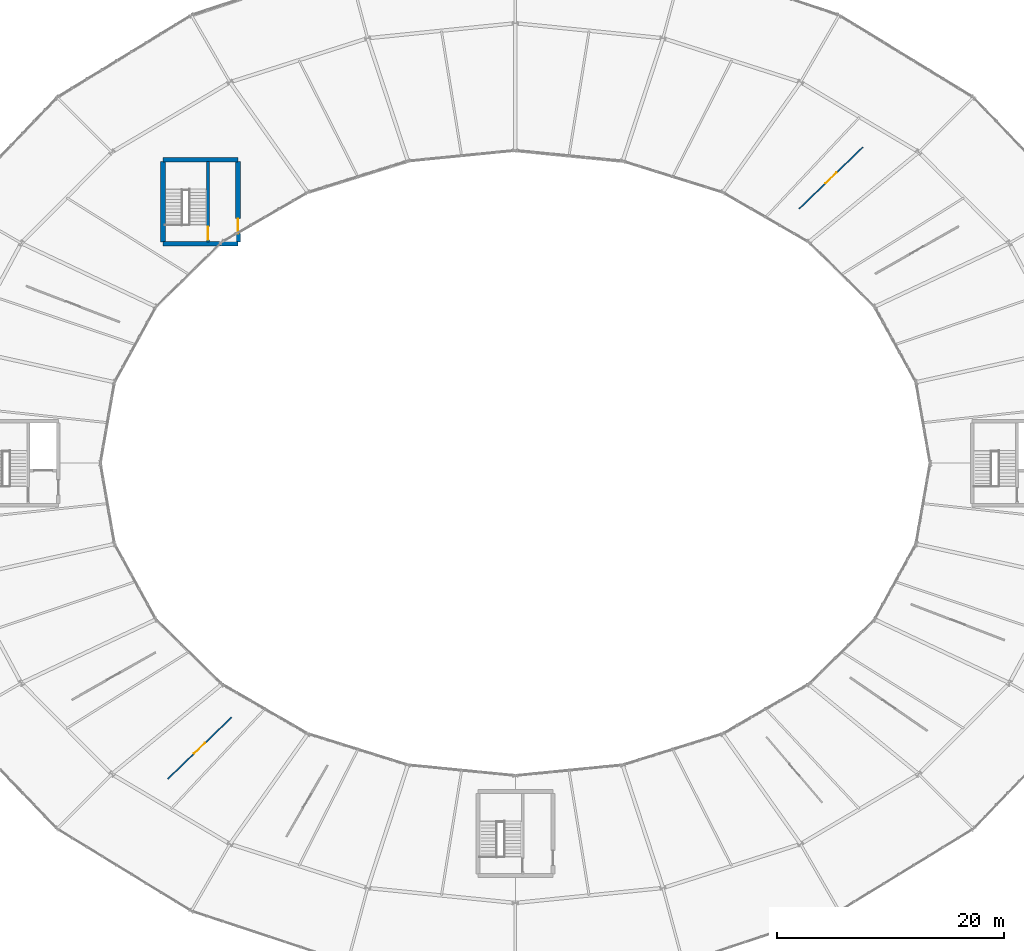
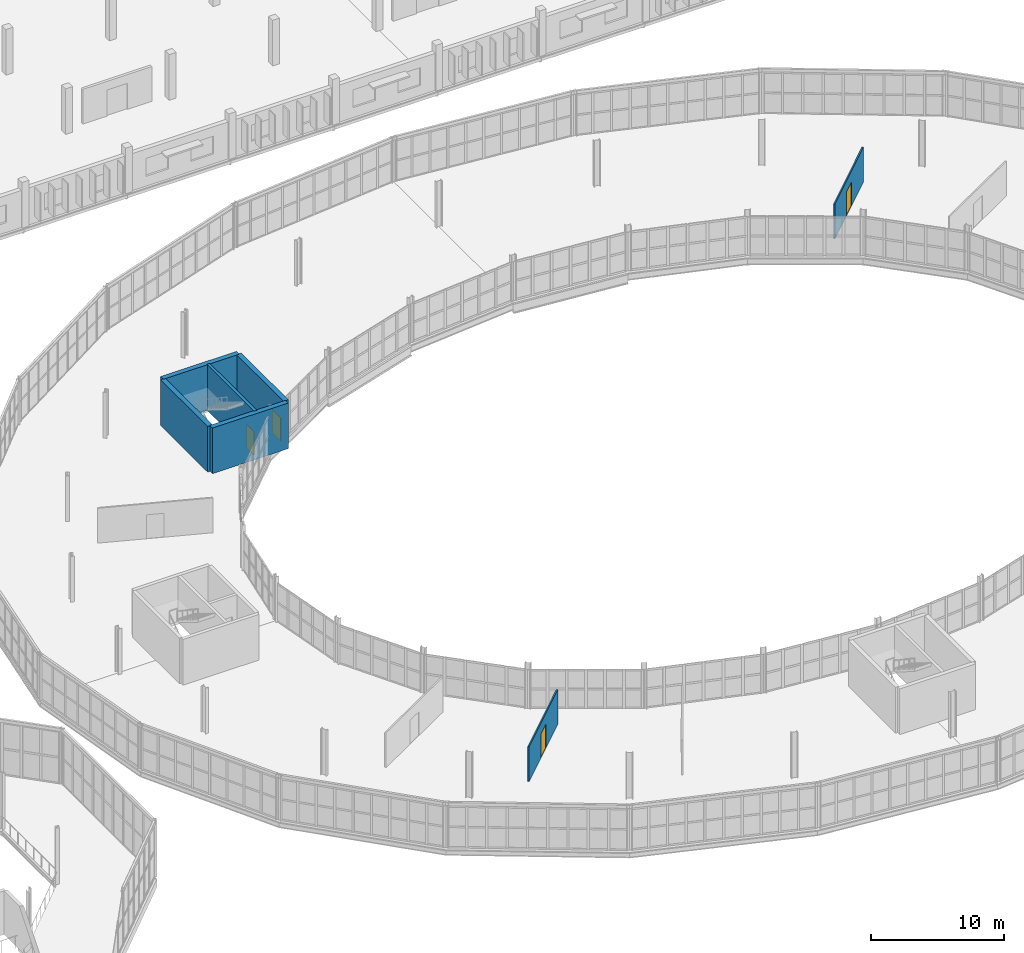
# One storey, part 138 of 161: 7 walls, 4 doors, 4 openings.
"""IFC4 building model written with IfcOpenShell, lengths in metres."""

from ifc_helpers import new_model, si_unit, direction, frame, frame_2d, origin, place, context, subcontext, project, spatial, rectangle, extrude, material, layer, layer_set, type_object, element, fill, save


model = new_model("IFC4")

# Units and contexts
model_context = context("Model", 3, precision=1e-05, world=origin(), true_north=direction((0.0, 1.0)))
body_context = subcontext(model_context, "Body", "Model", "MODEL_VIEW")
ifc_project = project(units=[si_unit("LENGTHUNIT", "METRE"), si_unit("AREAUNIT", "SQUARE_METRE"), si_unit("VOLUMEUNIT", "CUBIC_METRE"), si_unit("PLANEANGLEUNIT", "RADIAN"), si_unit("MASSUNIT", "GRAM", prefix="KILO")], contexts=[model_context])

# Site, building, storey
site_placement = place(None, origin())
site = spatial("IfcSite", under=ifc_project, at=site_placement, CompositionType="ELEMENT")
building_placement = place(site_placement, origin())
building = spatial("IfcBuilding", under=site, at=building_placement, Name="Kildeholm Park Wholesale Market", CompositionType="ELEMENT")
storey_placement = place(building_placement, frame((0.0, 0.0, 5.39990234375)))
storey = spatial("IfcBuildingStorey", under=building, at=storey_placement, Name="L01", CompositionType="ELEMENT", Elevation=5.39990234375)

# Wall, opening, door
ifc_material_1 = material(Name="Galvanized steel stud and moisture-resistant tile partition", Category="steel")
ifc_layer_1 = layer(ifc_material_1, 0.1201171875)
ifc_layer_set_1 = layer_set([ifc_layer_1], Name="Galvanized steel stud and moisture-resistant tile partition")
wall_type_1 = type_object("IfcWallType", Name="Partition W-PT02 120 mm", PredefinedType="PARTITIONING", material=ifc_layer_set_1)
wall_1_placement = place(storey_placement, frame((123.971923828125, 111.873046875, 0.0), z_axis=(0.0, 0.0, 1.0), x_axis=(0.718851460144, 0.695163706078, 0.0)))
wall_1 = element("IfcWall", 1, at=wall_1_placement, inside=storey, type_object=wall_type_1, Name="Interior partition W-V1-ST1-03 WL-0938", PredefinedType="PARTITIONING", context=body_context, shape_type="SweptSolid", body=[
    extrude(rectangle(XDim=7.8125, YDim=0.1201171875, at=frame_2d((3.90625, 0.0))), origin(), (0.0, 0.0, 1.0), 3.2001953125),
])
opening_1_placement = place(wall_1_placement, frame((3.23095703125, 0.0, 0.0)))
opening_1 = element("IfcOpeningElement", 2, at=opening_1_placement, cuts=wall_1, Name="Opening D-IN07", PredefinedType="OPENING", context=body_context, shape_type="SweptSolid", body=[
    extrude(rectangle(XDim=1.35009765625, YDim=2.199951171875, at=frame_2d((0.675048828125, 1.10009765625))), frame((0.0, 0.070068359375, 0.0), z_axis=(0.0, -1.0, 0.0), x_axis=(1.0, 0.0, 0.0)), (0.0, 0.0, 1.0), 0.14013671875),
])
ifc_material_2 = material(Name="Wholesale stall service doorset")
door_type_1 = type_object("IfcDoorType", Name="Interior door D-IN07 1350x2200", OperationType="NOTDEFINED", PredefinedType="DOOR", material=ifc_material_2)
door_1_placement = place(opening_1_placement, origin())
door_1 = element("IfcDoor", 3, at=door_1_placement, inside=storey, type_object=door_type_1, Name="Interior door V1-ST1-03 DR-0213 WL-0938", OperationType="SINGLE_SWING_LEFT", OverallHeight=2.199951171875, OverallWidth=1.35009765625, PredefinedType="DOOR", context=body_context, shape_type="SweptSolid", body=[
    extrude(rectangle(XDim=1.35009765625, YDim=2.199951171875, at=frame_2d((0.675048828125, 1.10009765625))), frame((0.0, 0.02490234375, 0.0), z_axis=(0.0, -1.0, 0.0), x_axis=(1.0, 0.0, 0.0)), (0.0, 0.0, 1.0), 0.050048828125),
])
fill(opening_1, door_1)

wall_2_placement = place(storey_placement, frame((74.028076171875, 67.126953125, 0.0), z_axis=(0.0, 0.0, 1.0), x_axis=(-0.718851460144, -0.695163706078, 0.0)))
wall_2 = element("IfcWall", 4, at=wall_2_placement, inside=storey, type_object=wall_type_1, Name="Interior partition W-V1-ST1-15 WL-0945", PredefinedType="PARTITIONING", context=body_context, shape_type="SweptSolid", body=[
    extrude(rectangle(XDim=7.8125, YDim=0.1201171875, at=frame_2d((3.90625, 0.0))), origin(), (0.0, 0.0, 1.0), 3.2001953125),
])
opening_2_placement = place(wall_2_placement, frame((3.23095703125, 0.0, 0.0)))
opening_2 = element("IfcOpeningElement", 5, at=opening_2_placement, cuts=wall_2, Name="Opening D-IN07", PredefinedType="OPENING", context=body_context, shape_type="SweptSolid", body=[
    extrude(rectangle(XDim=1.35009765625, YDim=2.199951171875, at=frame_2d((0.675048828125, 1.10009765625))), frame((0.0, 0.070068359375, 0.0), z_axis=(0.0, -1.0, 0.0), x_axis=(1.0, 0.0, 0.0)), (0.0, 0.0, 1.0), 0.14013671875),
])
door_2_placement = place(opening_2_placement, origin())
door_2 = element("IfcDoor", 6, at=door_2_placement, inside=storey, type_object=door_type_1, Name="Interior door V1-ST1-15 DR-0220 WL-0945", OperationType="SINGLE_SWING_RIGHT", OverallHeight=2.199951171875, OverallWidth=1.35009765625, PredefinedType="DOOR", context=body_context, shape_type="SweptSolid", body=[
    extrude(rectangle(XDim=1.35009765625, YDim=2.199951171875, at=frame_2d((0.675048828125, 1.10009765625))), frame((0.0, 0.02490234375, 0.0), z_axis=(0.0, -1.0, 0.0), x_axis=(1.0, 0.0, 0.0)), (0.0, 0.0, 1.0), 0.050048828125),
])
fill(opening_2, door_2)

ifc_material_3 = material(Name="Concrete C40/50", Category="concrete")
ifc_layer_2 = layer(ifc_material_3, 0.25)
ifc_layer_set_2 = layer_set([ifc_layer_2], Name="Concrete C40/50")
wall_type_2 = type_object("IfcWallType", Name="Shear wall W-SH2 250 mm", PredefinedType="SHEAR", material=ifc_layer_set_2)
wall_3_placement = place(storey_placement, frame((71.949951171875, 108.949951171875, 0.0), z_axis=(0.0, 0.0, 1.0), x_axis=(0.0, 1.0, 0.0)))
wall_3 = element("IfcWall", 7, at=wall_3_placement, inside=storey, type_object=wall_type_2, Name="Core C11 shaft wall L01 WL-0852", PredefinedType="SHEAR", context=body_context, shape_type="SweptSolid", body=[
    extrude(rectangle(XDim=7.10009765625, YDim=0.25, at=frame_2d((3.550048828125, 0.0))), origin(), (0.0, 0.0, 1.0), 4.2001953125),
])
opening_3_placement = place(wall_3_placement, frame((0.199951171875, 0.0, 0.0)))
opening_3 = element("IfcOpeningElement", 8, at=opening_3_placement, cuts=wall_3, Name="Opening D-CR01", PredefinedType="OPENING", context=body_context, shape_type="SweptSolid", body=[
    extrude(rectangle(XDim=1.14990234375, YDim=2.14990234375, at=frame_2d((0.574951171875, 1.074951171875))), frame((0.0, 0.135009765625, 0.0), z_axis=(0.0, -1.0, 0.0), x_axis=(1.0, 0.0, 0.0)), (0.0, 0.0, 1.0), 0.27001953125),
])
ifc_material_4 = material(Name="Painted steel fire escape doorset", Category="steel")
door_type_2 = type_object("IfcDoorType", Name="Interior door D-CR01 1150x2150", OperationType="NOTDEFINED", PredefinedType="DOOR", material=ifc_material_4)
door_3_placement = place(opening_3_placement, frame((1.14990234375, 0.0, 0.0), z_axis=(0.0, 0.0, 1.0), x_axis=(-1.0, 0.0, 0.0)))
door_3 = element("IfcDoor", 9, at=door_3_placement, inside=storey, type_object=door_type_2, Name="Core C11 stair fire door L01 DR-0177 WL-0852", OperationType="SINGLE_SWING_LEFT", OverallHeight=2.14990234375, OverallWidth=1.14990234375, PredefinedType="DOOR", context=body_context, shape_type="SweptSolid", body=[
    extrude(rectangle(XDim=1.14990234375, YDim=2.14990234375, at=frame_2d((0.574951171875, 1.074951171875))), frame((0.0, 0.02490234375, 0.0), z_axis=(0.0, -1.0, 0.0), x_axis=(1.0, 0.0, 0.0)), (0.0, 0.0, 1.0), 0.050048828125),
])
fill(opening_3, door_3)

# Walls
ifc_layer_3 = layer(ifc_material_3, 0.419921875)
ifc_layer_set_3 = layer_set([ifc_layer_3], Name="Concrete C40/50")
wall_type_3 = type_object("IfcWallType", Name="Shear wall W-SH4 420 mm", PredefinedType="SHEAR", material=ifc_layer_set_3)
for number, where, z_axis, x_axis, name in (
    (10, (68.0, 108.800048828125, 0.0), (0.0, 0.0, 1.0), (1.0, 0.0, 0.0), "Core C11 south shear wall L01 WL-0848"),
    (11, (68.0, 116.199951171875, 0.0), (0.0, 0.0, 1.0), (1.0, 0.0, 0.0), "Core C11 north shear wall L01 WL-0849"),
):
    element("IfcWall", number, at=place(storey_placement, frame(where, z_axis=z_axis, x_axis=x_axis)), inside=storey, type_object=wall_type_3, Name=name, PredefinedType="SHEAR", context=body_context, shape_type="SweptSolid", body=[
        extrude(rectangle(XDim=6.60009765625, YDim=0.419921875, at=frame_2d((3.300048828125, 0.0))), origin(), (0.0, 0.0, 1.0), 4.2001953125),
    ])
wall_4_placement = place(storey_placement, frame((68.0, 108.949951171875, 0.0), z_axis=(0.0, 0.0, 1.0), x_axis=(0.0, 1.0, 0.0)))
element("IfcWall", 12, at=wall_4_placement, inside=storey, type_object=wall_type_3, Name="Core C11 west shear wall L01 WL-0850", PredefinedType="SHEAR", context=body_context, shape_type="SweptSolid", body=[
    extrude(rectangle(XDim=7.10009765625, YDim=0.419921875, at=frame_2d((3.550048828125, 0.0))), origin(), (0.0, 0.0, 1.0), 4.2001953125),
])

# Wall, opening, door
wall_5_placement = place(storey_placement, frame((74.60009765625, 108.949951171875, 0.0), z_axis=(0.0, 0.0, 1.0), x_axis=(0.0, 1.0, 0.0)))
wall_5 = element("IfcWall", 13, at=wall_5_placement, inside=storey, type_object=wall_type_3, Name="Core C11 east shear wall L01 WL-0851", PredefinedType="SHEAR", context=body_context, shape_type="SweptSolid", body=[
    extrude(rectangle(XDim=7.10009765625, YDim=0.419921875, at=frame_2d((3.550048828125, 0.0))), origin(), (0.0, 0.0, 1.0), 4.2001953125),
])
opening_4_placement = place(wall_5_placement, frame((0.75, 0.0, 0.0)))
opening_4 = element("IfcOpeningElement", 14, at=opening_4_placement, cuts=wall_5, Name="Opening D-CR02", PredefinedType="OPENING", context=body_context, shape_type="SweptSolid", body=[
    extrude(rectangle(XDim=1.300048828125, YDim=2.14990234375, at=frame_2d((0.64990234375, 1.074951171875))), frame((0.0, 0.219970703125, 0.0), z_axis=(0.0, -1.0, 0.0), x_axis=(1.0, 0.0, 0.0)), (0.0, 0.0, 1.0), 0.43994140625),
])
ifc_material_5 = material(Name="Painted steel core lobby double-leaf doorset", Category="steel")
door_type_3 = type_object("IfcDoorType", Name="Interior door D-CR02 1300x2150", OperationType="NOTDEFINED", PredefinedType="DOOR", material=ifc_material_5)
door_4_placement = place(opening_4_placement, frame((1.300048828125, 0.0, 0.0), z_axis=(0.0, 0.0, 1.0), x_axis=(-1.0, 0.0, 0.0)))
door_4 = element("IfcDoor", 15, at=door_4_placement, inside=storey, type_object=door_type_3, Name="Core C11 lobby entrance door L01 DR-0176 WL-0851", OperationType="DOUBLE_DOOR_SINGLE_SWING", OverallHeight=2.14990234375, OverallWidth=1.300048828125, PredefinedType="DOOR", context=body_context, shape_type="SweptSolid", body=[
    extrude(rectangle(XDim=1.300048828125, YDim=2.14990234375, at=frame_2d((0.64990234375, 1.074951171875))), frame((0.0, 0.02490234375, 0.0), z_axis=(0.0, -1.0, 0.0), x_axis=(1.0, 0.0, 0.0)), (0.0, 0.0, 1.0), 0.050048828125),
])
fill(opening_4, door_4)

save(model, "model.ifc")
